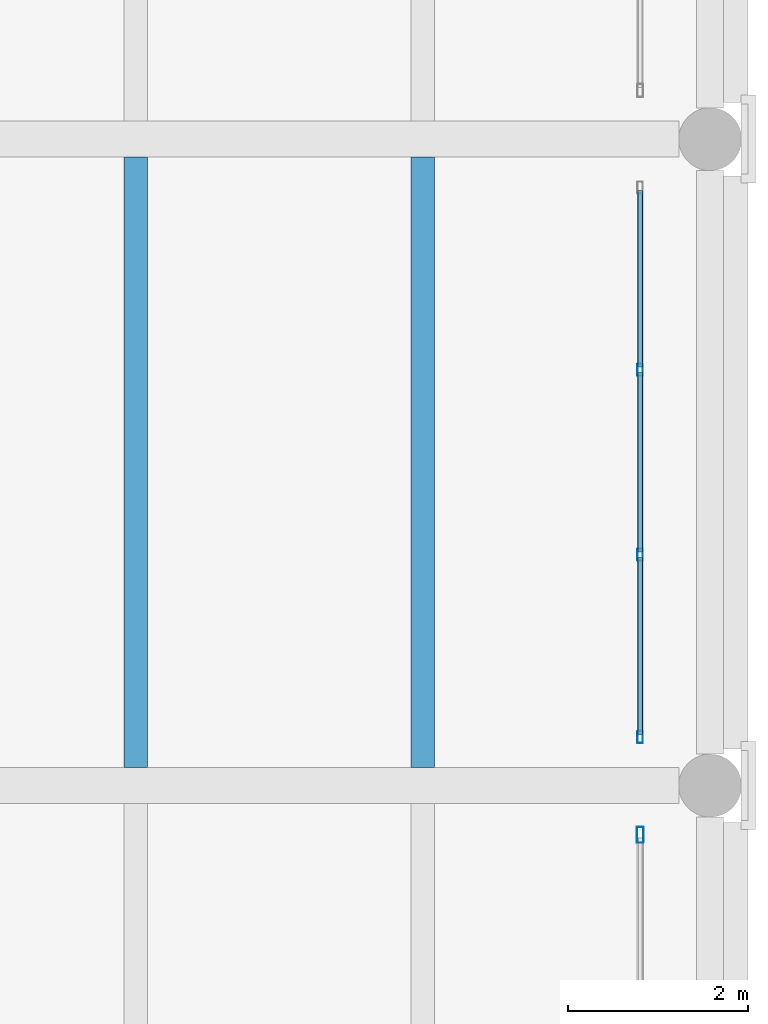
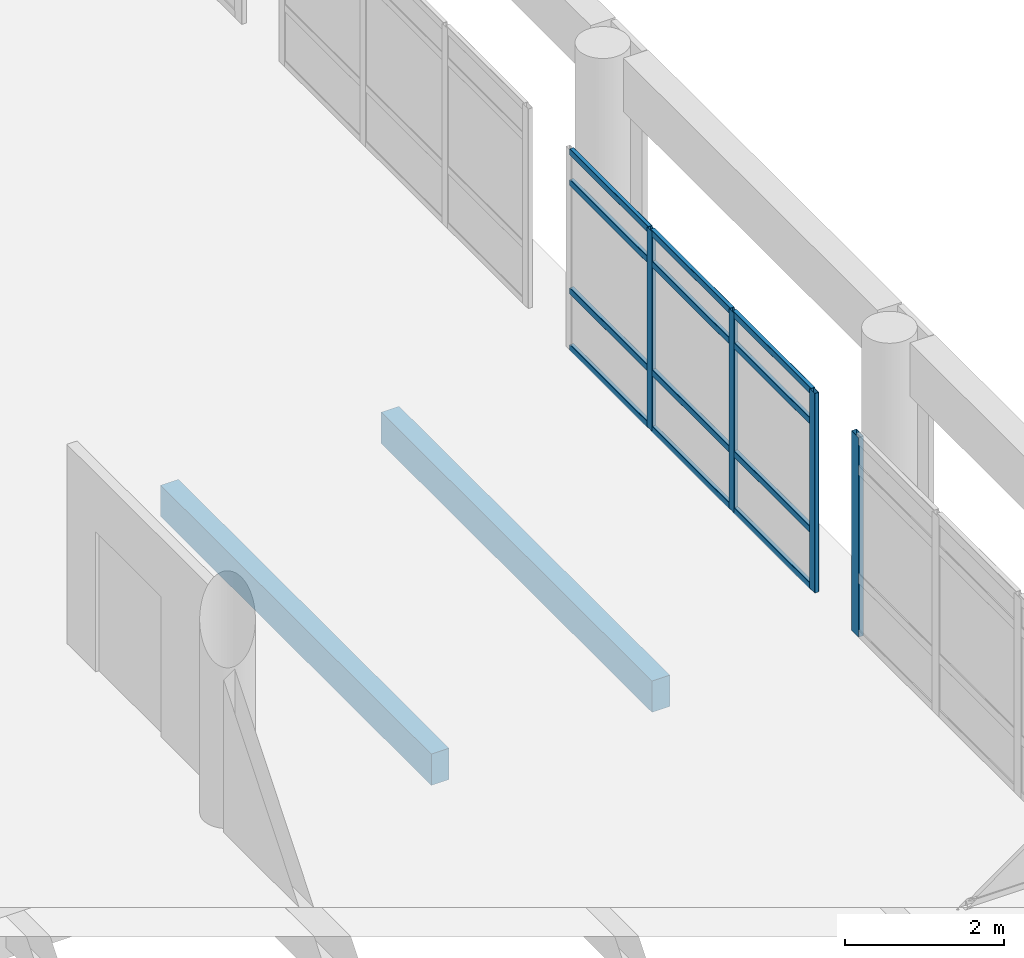
# One storey, part 48 of 180: 16 members, 2 beams, 2 elements without a shape of their own.
"""IFC4 building model written with IfcOpenShell, lengths in metres."""

from ifc_helpers import new_model, si_unit, direction, frame, origin, origin_2d, place, context, subcontext, project, spatial, rectangle, hollow_rectangle, extrude, material, layer, layer_set, material_profile, profile_set, type_object, element, aggregate, save


model = new_model("IFC4")

# Units and contexts
model_context = context("Model", 3, precision=1e-05, world=origin(), true_north=direction((0.0, 1.0)))
body_context = subcontext(model_context, "Body", "Model", "MODEL_VIEW")
ifc_project = project(units=[si_unit("LENGTHUNIT", "METRE"), si_unit("AREAUNIT", "SQUARE_METRE"), si_unit("VOLUMEUNIT", "CUBIC_METRE"), si_unit("PLANEANGLEUNIT", "RADIAN"), si_unit("MASSUNIT", "GRAM", prefix="KILO")], contexts=[model_context])

# Site, building, storey
site_placement = place(None, origin())
site = spatial("IfcSite", under=ifc_project, at=site_placement, CompositionType="ELEMENT")
building_placement = place(site_placement, origin())
building = spatial("IfcBuilding", under=site, at=building_placement, Name="Asteropetra Specialist Clinic", CompositionType="ELEMENT")
storey_placement = place(building_placement, frame((0.0, 0.0, 4.419921875)))
storey = spatial("IfcBuildingStorey", under=building, at=storey_placement, Name="L01", CompositionType="ELEMENT", Elevation=4.419921875)

# Curtain wall, members
ifc_material_1 = material(Name="Aluminium and low-E glass", Category="aluminium")
ifc_layer_1 = layer(ifc_material_1, 0.179931640625)
ifc_layer_set_1 = layer_set([ifc_layer_1], Name="Aluminium and low-E glass")
curtain_wall_type_1 = type_object("IfcCurtainWallType", Name="CW-SYS-10", PredefinedType="USERDEFINED", material=ifc_layer_set_1)
curtain_wall_1_placement = place(storey_placement, origin())
curtain_wall_1 = element("IfcCurtainWall", 1, at=curtain_wall_1_placement, inside=storey, type_object=curtain_wall_type_1, Name="Curtain Wall CW-161", ObjectType="STICK GLAZED COLONNADE", PredefinedType="USERDEFINED")
ifc_material_2 = material(Name="Aluminium 6063-T6", Category="aluminium")
ifc_material_profile_1 = material_profile(ifc_material_2, hollow_rectangle(XDim=0.06005859375, YDim=0.135009765625, WallThickness=0.00341796875, InnerFilletRadius=0.00341796875, OuterFilletRadius=0.007080078125, at=origin_2d()), Name="MUL 135x60x3.5")
ifc_profile_set_1 = profile_set([ifc_material_profile_1], Name="Aluminium 6063-T6")
member_type_1 = type_object("IfcMemberType", Name="CWM-135x60", PredefinedType="MULLION", material=ifc_profile_set_1)
member_1_placement = place(storey_placement, frame((47.219970703125, 41.340087890625, 0.0), z_axis=(0.0, 0.0, 1.0), x_axis=(-1.0, 0.0, 0.0)))
member_1 = element("IfcMember", 2, at=member_1_placement, type_object=member_type_1, Name="CW-161 mullion 1", PredefinedType="MULLION", context=body_context, shape_type="SweptSolid", body=[
    extrude(hollow_rectangle(XDim=0.06005859375, YDim=0.135009765625, WallThickness=0.00341796875, InnerFilletRadius=0.00341796875, OuterFilletRadius=0.007080078125, at=origin_2d()), origin(), (0.0, 0.0, 1.0), 3.06005859375),
])
member_2_placement = place(storey_placement, frame((47.219970703125, 43.3701171875, 0.0), z_axis=(0.0, 0.0, 1.0), x_axis=(-1.0, 0.0, 0.0)))
member_2 = element("IfcMember", 3, at=member_2_placement, type_object=member_type_1, Name="CW-161 mullion 2", PredefinedType="MULLION", context=body_context, shape_type="SweptSolid", body=[
    extrude(hollow_rectangle(XDim=0.06005859375, YDim=0.135009765625, WallThickness=0.00341796875, InnerFilletRadius=0.00341796875, OuterFilletRadius=0.007080078125, at=origin_2d()), origin(), (0.0, 0.0, 1.0), 3.06005859375),
])
member_3_placement = place(storey_placement, frame((47.219970703125, 45.429931640625, 0.0), z_axis=(0.0, 0.0, 1.0), x_axis=(-1.0, 0.0, 0.0)))
member_3 = element("IfcMember", 4, at=member_3_placement, type_object=member_type_1, Name="CW-161 mullion 3", PredefinedType="MULLION", context=body_context, shape_type="SweptSolid", body=[
    extrude(hollow_rectangle(XDim=0.06005859375, YDim=0.135009765625, WallThickness=0.00341796875, InnerFilletRadius=0.00341796875, OuterFilletRadius=0.007080078125, at=origin_2d()), origin(), (0.0, 0.0, 1.0), 3.06005859375),
])

# Curtain wall, member
ifc_material_3 = material(Name="Aluminium and low-E glass", Category="aluminium")
ifc_layer_2 = layer(ifc_material_3, 0.14990234375)
ifc_layer_set_2 = layer_set([ifc_layer_2], Name="Aluminium and low-E glass")
curtain_wall_type_2 = type_object("IfcCurtainWallType", Name="CW-SYS-11", PredefinedType="USERDEFINED", material=ifc_layer_set_2)
curtain_wall_2_placement = place(storey_placement, origin())
curtain_wall_2 = element("IfcCurtainWall", 5, at=curtain_wall_2_placement, inside=storey, type_object=curtain_wall_type_2, Name="Curtain Wall CW-159", ObjectType="STICK GLAZED COLONNADE", PredefinedType="USERDEFINED")
ifc_material_4 = material(Name="Aluminium 6063-T6", Category="aluminium")
ifc_material_profile_2 = material_profile(ifc_material_4, hollow_rectangle(XDim=0.074951171875, YDim=0.179931640625, WallThickness=0.00390625, InnerFilletRadius=0.00390625, OuterFilletRadius=0.008056640625, at=origin_2d()), Name="MUL 180x75x4.0")
ifc_profile_set_2 = profile_set([ifc_material_profile_2], Name="Aluminium 6063-T6")
member_type_2 = type_object("IfcMemberType", Name="CWM-180x75", PredefinedType="MULLION", material=ifc_profile_set_2)
member_4_placement = place(storey_placement, frame((47.219970703125, 40.25244140625, 0.0), z_axis=(0.0, 0.0, 1.0), x_axis=(-1.0, 0.0, 0.0)))
member_4 = element("IfcMember", 6, at=member_4_placement, type_object=member_type_2, Name="CW-159 mullion 4", PredefinedType="MULLION", context=body_context, shape_type="SweptSolid", body=[
    extrude(hollow_rectangle(XDim=0.074951171875, YDim=0.179931640625, WallThickness=0.00390625, InnerFilletRadius=0.00390625, OuterFilletRadius=0.008056640625, at=origin_2d()), origin(), (0.0, 0.0, 1.0), 3.06005859375),
])
aggregate(curtain_wall_2, [member_4])

# Member
ifc_material_5 = material(Name="Aluminium 6063-T6", Category="aluminium")
ifc_material_profile_3 = material_profile(ifc_material_5, hollow_rectangle(XDim=0.06005859375, YDim=0.10009765625, WallThickness=0.00341796875, InnerFilletRadius=0.00341796875, OuterFilletRadius=0.007080078125, at=origin_2d()), Name="TRN 100x60x3.5")
ifc_profile_set_3 = profile_set([ifc_material_profile_3], Name="Aluminium 6063-T6")
member_type_3 = type_object("IfcMemberType", Name="CWT-100x60", PredefinedType="USERDEFINED", material=ifc_profile_set_3)
member_5_placement = place(storey_placement, frame((47.219970703125, 41.3701171875, 0.030029296875), z_axis=(0.0, 1.0, 0.0), x_axis=(-1.0, 0.0, 0.0)))
member_5 = element("IfcMember", 7, at=member_5_placement, type_object=member_type_3, Name="CW-161 transom 1.1", ObjectType="TRANSOM", PredefinedType="USERDEFINED", context=body_context, shape_type="SweptSolid", body=[
    extrude(hollow_rectangle(XDim=0.06005859375, YDim=0.10009765625, WallThickness=0.00341796875, InnerFilletRadius=0.00341796875, OuterFilletRadius=0.007080078125, at=origin_2d()), origin(), (0.0, 0.0, 1.0), 1.969970703125),
])

member_6_placement = place(storey_placement, frame((47.219970703125, 41.3701171875, 0.900146484375), z_axis=(0.0, 1.0, 0.0), x_axis=(-1.0, 0.0, 0.0)))
member_6 = element("IfcMember", 8, at=member_6_placement, type_object=member_type_3, Name="CW-161 transom 1.2", ObjectType="TRANSOM", PredefinedType="USERDEFINED", context=body_context, shape_type="SweptSolid", body=[
    extrude(hollow_rectangle(XDim=0.06005859375, YDim=0.10009765625, WallThickness=0.00341796875, InnerFilletRadius=0.00341796875, OuterFilletRadius=0.007080078125, at=origin_2d()), origin(), (0.0, 0.0, 1.0), 1.969970703125),
])

member_7_placement = place(storey_placement, frame((47.219970703125, 41.3701171875, 2.56005859375), z_axis=(0.0, 1.0, 0.0), x_axis=(-1.0, 0.0, 0.0)))
member_7 = element("IfcMember", 9, at=member_7_placement, type_object=member_type_3, Name="CW-161 transom 1.3", ObjectType="TRANSOM", PredefinedType="USERDEFINED", context=body_context, shape_type="SweptSolid", body=[
    extrude(hollow_rectangle(XDim=0.06005859375, YDim=0.10009765625, WallThickness=0.00341796875, InnerFilletRadius=0.00341796875, OuterFilletRadius=0.007080078125, at=origin_2d()), origin(), (0.0, 0.0, 1.0), 1.969970703125),
])

member_8_placement = place(storey_placement, frame((47.219970703125, 41.3701171875, 3.030029296875), z_axis=(0.0, 1.0, 0.0), x_axis=(-1.0, 0.0, 0.0)))
member_8 = element("IfcMember", 10, at=member_8_placement, type_object=member_type_3, Name="CW-161 transom 1.4", ObjectType="TRANSOM", PredefinedType="USERDEFINED", context=body_context, shape_type="SweptSolid", body=[
    extrude(hollow_rectangle(XDim=0.06005859375, YDim=0.10009765625, WallThickness=0.00341796875, InnerFilletRadius=0.00341796875, OuterFilletRadius=0.007080078125, at=origin_2d()), origin(), (0.0, 0.0, 1.0), 1.969970703125),
])

member_9_placement = place(storey_placement, frame((47.219970703125, 43.39990234375, 0.030029296875), z_axis=(0.0, 1.0, 0.0), x_axis=(-1.0, 0.0, 0.0)))
member_9 = element("IfcMember", 11, at=member_9_placement, type_object=member_type_3, Name="CW-161 transom 2.1", ObjectType="TRANSOM", PredefinedType="USERDEFINED", context=body_context, shape_type="SweptSolid", body=[
    extrude(hollow_rectangle(XDim=0.06005859375, YDim=0.10009765625, WallThickness=0.00341796875, InnerFilletRadius=0.00341796875, OuterFilletRadius=0.007080078125, at=origin_2d()), origin(), (0.0, 0.0, 1.0), 2.0),
])

member_10_placement = place(storey_placement, frame((47.219970703125, 43.39990234375, 0.900146484375), z_axis=(0.0, 1.0, 0.0), x_axis=(-1.0, 0.0, 0.0)))
member_10 = element("IfcMember", 12, at=member_10_placement, type_object=member_type_3, Name="CW-161 transom 2.2", ObjectType="TRANSOM", PredefinedType="USERDEFINED", context=body_context, shape_type="SweptSolid", body=[
    extrude(hollow_rectangle(XDim=0.06005859375, YDim=0.10009765625, WallThickness=0.00341796875, InnerFilletRadius=0.00341796875, OuterFilletRadius=0.007080078125, at=origin_2d()), origin(), (0.0, 0.0, 1.0), 2.0),
])

member_11_placement = place(storey_placement, frame((47.219970703125, 43.39990234375, 2.56005859375), z_axis=(0.0, 1.0, 0.0), x_axis=(-1.0, 0.0, 0.0)))
member_11 = element("IfcMember", 13, at=member_11_placement, type_object=member_type_3, Name="CW-161 transom 2.3", ObjectType="TRANSOM", PredefinedType="USERDEFINED", context=body_context, shape_type="SweptSolid", body=[
    extrude(hollow_rectangle(XDim=0.06005859375, YDim=0.10009765625, WallThickness=0.00341796875, InnerFilletRadius=0.00341796875, OuterFilletRadius=0.007080078125, at=origin_2d()), origin(), (0.0, 0.0, 1.0), 2.0),
])

member_12_placement = place(storey_placement, frame((47.219970703125, 43.39990234375, 3.030029296875), z_axis=(0.0, 1.0, 0.0), x_axis=(-1.0, 0.0, 0.0)))
member_12 = element("IfcMember", 14, at=member_12_placement, type_object=member_type_3, Name="CW-161 transom 2.4", ObjectType="TRANSOM", PredefinedType="USERDEFINED", context=body_context, shape_type="SweptSolid", body=[
    extrude(hollow_rectangle(XDim=0.06005859375, YDim=0.10009765625, WallThickness=0.00341796875, InnerFilletRadius=0.00341796875, OuterFilletRadius=0.007080078125, at=origin_2d()), origin(), (0.0, 0.0, 1.0), 2.0),
])

member_13_placement = place(storey_placement, frame((47.219970703125, 45.4599609375, 0.030029296875), z_axis=(0.0, 1.0, 0.0), x_axis=(-1.0, 0.0, 0.0)))
member_13 = element("IfcMember", 15, at=member_13_placement, type_object=member_type_3, Name="CW-161 transom 3.1", ObjectType="TRANSOM", PredefinedType="USERDEFINED", context=body_context, shape_type="SweptSolid", body=[
    extrude(hollow_rectangle(XDim=0.06005859375, YDim=0.10009765625, WallThickness=0.00341796875, InnerFilletRadius=0.00341796875, OuterFilletRadius=0.007080078125, at=origin_2d()), origin(), (0.0, 0.0, 1.0), 1.969970703125),
])

member_14_placement = place(storey_placement, frame((47.219970703125, 45.4599609375, 0.900146484375), z_axis=(0.0, 1.0, 0.0), x_axis=(-1.0, 0.0, 0.0)))
member_14 = element("IfcMember", 16, at=member_14_placement, type_object=member_type_3, Name="CW-161 transom 3.2", ObjectType="TRANSOM", PredefinedType="USERDEFINED", context=body_context, shape_type="SweptSolid", body=[
    extrude(hollow_rectangle(XDim=0.06005859375, YDim=0.10009765625, WallThickness=0.00341796875, InnerFilletRadius=0.00341796875, OuterFilletRadius=0.007080078125, at=origin_2d()), origin(), (0.0, 0.0, 1.0), 1.969970703125),
])

member_15_placement = place(storey_placement, frame((47.219970703125, 45.4599609375, 2.56005859375), z_axis=(0.0, 1.0, 0.0), x_axis=(-1.0, 0.0, 0.0)))
member_15 = element("IfcMember", 17, at=member_15_placement, type_object=member_type_3, Name="CW-161 transom 3.3", ObjectType="TRANSOM", PredefinedType="USERDEFINED", context=body_context, shape_type="SweptSolid", body=[
    extrude(hollow_rectangle(XDim=0.06005859375, YDim=0.10009765625, WallThickness=0.00341796875, InnerFilletRadius=0.00341796875, OuterFilletRadius=0.007080078125, at=origin_2d()), origin(), (0.0, 0.0, 1.0), 1.969970703125),
])

member_16_placement = place(storey_placement, frame((47.219970703125, 45.4599609375, 3.030029296875), z_axis=(0.0, 1.0, 0.0), x_axis=(-1.0, 0.0, 0.0)))
member_16 = element("IfcMember", 18, at=member_16_placement, type_object=member_type_3, Name="CW-161 transom 3.4", ObjectType="TRANSOM", PredefinedType="USERDEFINED", context=body_context, shape_type="SweptSolid", body=[
    extrude(hollow_rectangle(XDim=0.06005859375, YDim=0.10009765625, WallThickness=0.00341796875, InnerFilletRadius=0.00341796875, OuterFilletRadius=0.007080078125, at=origin_2d()), origin(), (0.0, 0.0, 1.0), 1.969970703125),
])

aggregate(curtain_wall_1, [member_1, member_2, member_3, member_5, member_6, member_7, member_8, member_9, member_10, member_11, member_12, member_13, member_14, member_15, member_16])

# Beams
ifc_material_6 = material(Name="Concrete C35/45", Category="concrete")
ifc_material_profile_4 = material_profile(ifc_material_6, rectangle(XDim=0.260009765625, YDim=0.47998046875, at=origin_2d()), Name="RCJ 260x480")
ifc_profile_set_4 = profile_set([ifc_material_profile_4], Name="Concrete C35/45")
beam_type = type_object("IfcBeamType", Name="JST-RC260x480", PredefinedType="JOIST", material=ifc_profile_set_4)
for number, where, z_axis, x_axis, name in (
    (19, (41.60009765625, 41.0, -0.5400390625), (0.0, 1.0, 0.0), (-1.0, 0.0, 0.0), "Joist JJST02-0362"),
    (20, (44.800048828125, 41.0, -0.5400390625), (0.0, 1.0, 0.0), (-1.0, 0.0, 0.0), "Joist JJST02-0363"),
):
    element("IfcBeam", number, at=place(storey_placement, frame(where, z_axis=z_axis, x_axis=x_axis)), inside=storey, type_object=beam_type, Name=name, PredefinedType="JOIST", context=body_context, shape_type="SweptSolid", body=[
        extrude(rectangle(XDim=0.260009765625, YDim=0.47998046875, at=origin_2d()), origin(), (0.0, 0.0, 1.0), 6.800048828125),
    ])

save(model, "model.ifc")
